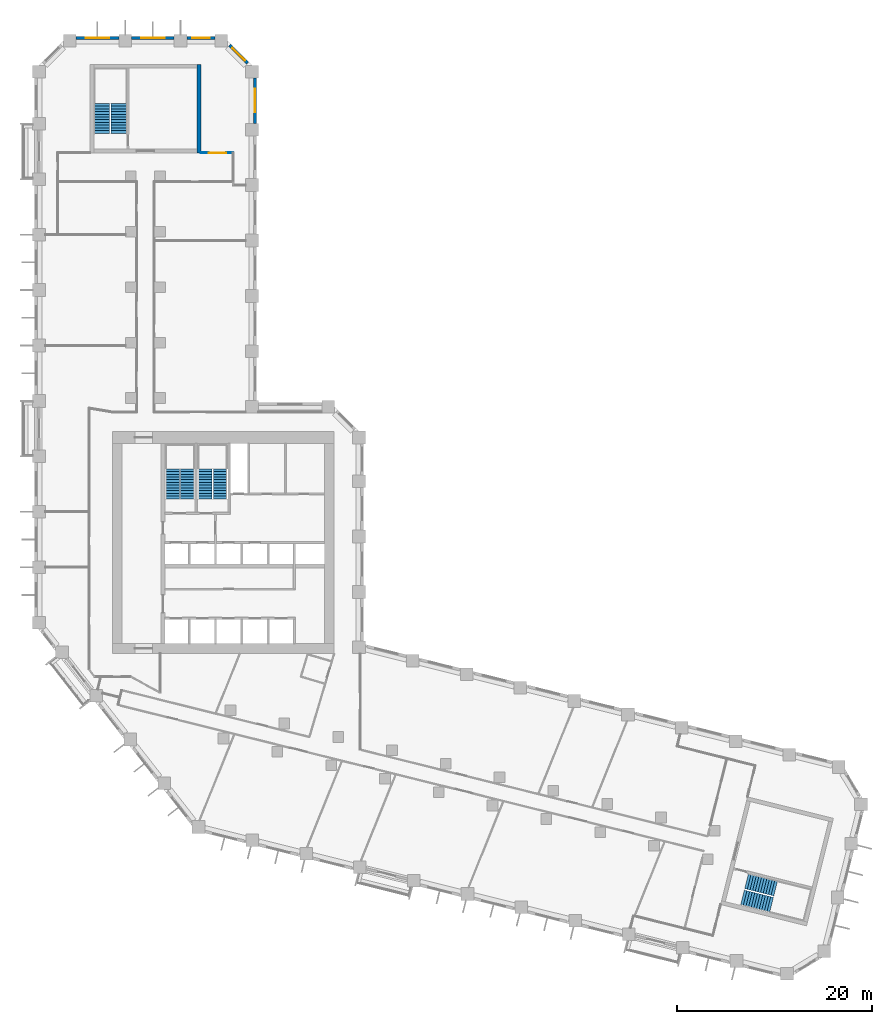
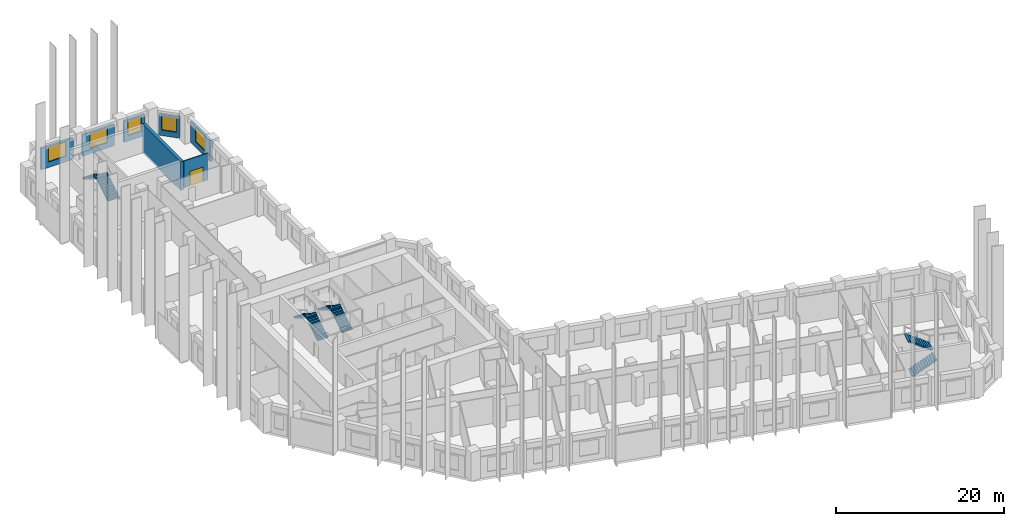
# One storey, part 9 of 10: 8 stair flights, 7 walls, 5 windows, 1 door, 6 openings, 4 elements without a shape of their own.
"""IFC4 building model written with IfcOpenShell, lengths in metres."""

from ifc_helpers import new_model, si_unit, direction, frame, frame_2d, origin, place, context, subcontext, project, spatial, polyline, rectangle, outline, extrude, material, layer, layer_set, type_object, element, fill, aggregate, save


model = new_model("IFC4")

# Units and contexts
model_context = context("Model", 3, precision=1e-05, world=origin(), true_north=direction((0.0, 1.0)))
body_context = subcontext(model_context, "Body", "Model", "MODEL_VIEW")
ifc_project = project(units=[si_unit("LENGTHUNIT", "METRE"), si_unit("AREAUNIT", "SQUARE_METRE"), si_unit("VOLUMEUNIT", "CUBIC_METRE"), si_unit("PLANEANGLEUNIT", "RADIAN"), si_unit("MASSUNIT", "GRAM", prefix="KILO")], contexts=[model_context])

# Site, building, storey
site_placement = place(None, origin())
site = spatial("IfcSite", under=ifc_project, at=site_placement, CompositionType="ELEMENT")
building_placement = place(site_placement, origin())
building = spatial("IfcBuilding", under=site, at=building_placement, Name="Meshkara Civic Tower", CompositionType="ELEMENT")
storey_placement = place(building_placement, frame((0.0, 0.0, 130.800048828125)))
storey = spatial("IfcBuildingStorey", under=building, at=storey_placement, Name="L29", CompositionType="ELEMENT", Elevation=130.800048828125)

# Wall, opening, door
ifc_material_1 = material(Name="Corridor wall 100")
ifc_layer_1 = layer(ifc_material_1, 0.10009765625)
ifc_layer_set_1 = layer_set([ifc_layer_1], Name="Corridor wall 100")
wall_type_1 = type_object("IfcWallType", Name="Corridor wall 100", PredefinedType="PARTITIONING", material=ifc_layer_set_1)
wall_1_placement = place(storey_placement, frame((20.39990234375, 65.570068359375, 0.0), z_axis=(0.0, 0.0, 1.0), x_axis=(-1.0, 0.0, 0.0)))
wall_1 = element("IfcWall", 1, at=wall_1_placement, inside=storey, type_object=wall_type_1, Name="L29-W018", PredefinedType="PARTITIONING", context=body_context, shape_type="SweptSolid", body=[
    extrude(rectangle(XDim=3.2998046875, YDim=0.10009765625, at=frame_2d((1.64990234375, 0.0))), origin(), (0.0, 0.0, 1.0), 3.89990234375),
])
opening_1_placement = place(wall_1_placement, frame((0.679931640625, 0.0, 0.0)))
opening_1 = element("IfcOpeningElement", 2, at=opening_1_placement, cuts=wall_1, Name="Opening L29-D026", PredefinedType="OPENING", context=body_context, shape_type="SweptSolid", body=[
    extrude(rectangle(XDim=1.800048828125, YDim=2.10009765625, at=frame_2d((0.89990234375, 1.050048828125))), frame((0.0, 0.06005859375, 0.0), z_axis=(0.0, -1.0, 0.0), x_axis=(1.0, 0.0, 0.0)), (0.0, 0.0, 1.0), 0.1201171875),
])
ifc_material_2 = material(Name="Door pair 1800 x 2100")
door_type = type_object("IfcDoorType", Name="Door pair 1800 x 2100", OperationType="SINGLE_SWING_LEFT", PredefinedType="DOOR", material=ifc_material_2)
door_placement = place(opening_1_placement, origin())
door = element("IfcDoor", 3, at=door_placement, inside=storey, type_object=door_type, Name="L29-D026", OperationType="DOUBLE_DOOR_SINGLE_SWING", OverallHeight=2.10009765625, OverallWidth=1.800048828125, PredefinedType="DOOR", context=body_context, shape_type="SweptSolid", body=[
    extrude(rectangle(XDim=1.800048828125, YDim=2.10009765625, at=frame_2d((0.89990234375, 1.050048828125))), frame((0.0, 0.02490234375, 0.0), z_axis=(0.0, -1.0, 0.0), x_axis=(1.0, 0.0, 0.0)), (0.0, 0.0, 1.0), 0.050048828125),
])
fill(opening_1, door)

# Wall, opening, window
ifc_material_3 = material(Name="Insulated infill panel with bronze anodised aluminium cladding", Category="aluminium")
ifc_layer_2 = layer(ifc_material_3, 0.300048828125)
ifc_layer_set_2 = layer_set([ifc_layer_2], Name="EXTERNAL INFILL WALL 300")
wall_type_2 = type_object("IfcWallType", Name="EXTERNAL INFILL WALL 300", PredefinedType="SOLIDWALL", material=ifc_layer_set_2)
wall_2_placement = place(storey_placement, frame((22.64990234375, 68.60009765625, 0.0), z_axis=(0.0, 0.0, 1.0), x_axis=(0.0, 1.0, 0.0)))
wall_2 = element("IfcWall", 4, at=wall_2_placement, inside=storey, type_object=wall_type_2, Name="External wall", PredefinedType="SOLIDWALL", context=body_context, shape_type="SweptSolid", body=[
    extrude(rectangle(XDim=4.663818359375, YDim=0.300048828125, at=frame_2d((2.33203125, 0.0))), origin(), (0.0, 0.0, 1.0), 3.099853515625),
])
opening_2_placement = place(wall_2_placement, frame((1.132080078125, 0.0, 0.800048828125)))
opening_2 = element("IfcOpeningElement", 5, at=opening_2_placement, cuts=wall_2, Name="Opening W7", PredefinedType="OPENING", context=body_context, shape_type="SweptSolid", body=[
    extrude(rectangle(XDim=2.39990234375, YDim=2.10009765625, at=frame_2d((1.199951171875, 1.050048828125))), frame((0.0, 0.159912109375, 0.0), z_axis=(0.0, -1.0, 0.0), x_axis=(1.0, 0.0, 0.0)), (0.0, 0.0, 1.0), 0.320068359375),
])
ifc_material_4 = material(Name="Tinted double glazing", Category="glass")
window_type_1 = type_object("IfcWindowType", Name="WINDOW 2400x2100", PartitioningType="DOUBLE_PANEL_VERTICAL", PredefinedType="WINDOW", material=ifc_material_4)
window_1_placement = place(opening_2_placement, origin())
window_1 = element("IfcWindow", 6, at=window_1_placement, inside=storey, type_object=window_type_1, Name="Window", OverallHeight=2.10009765625, OverallWidth=2.39990234375, PartitioningType="DOUBLE_PANEL_VERTICAL", PredefinedType="WINDOW", context=body_context, shape_type="SweptSolid", body=[
    extrude(rectangle(XDim=2.39990234375, YDim=2.10009765625, at=frame_2d((1.199951171875, 1.050048828125))), frame((0.0, 0.030029296875, 0.0), z_axis=(0.0, -1.0, 0.0), x_axis=(1.0, 0.0, 0.0)), (0.0, 0.0, 1.0), 0.06005859375),
])
fill(opening_2, window_1)

wall_3_placement = place(storey_placement, frame((21.912109375, 74.77587890625, 0.0), z_axis=(0.0, 0.0, 1.0), x_axis=(-0.707106781187, 0.707106781187, 0.0)))
wall_3 = element("IfcWall", 7, at=wall_3_placement, inside=storey, type_object=wall_type_2, Name="External wall", PredefinedType="SOLIDWALL", context=body_context, shape_type="SweptSolid", body=[
    extrude(rectangle(XDim=2.625, YDim=0.300048828125, at=frame_2d((1.3125, 0.0))), origin(), (0.0, 0.0, 1.0), 3.099853515625),
])
opening_3_placement = place(wall_3_placement, frame((0.412109375, 0.0, 0.800048828125)))
opening_3 = element("IfcOpeningElement", 8, at=opening_3_placement, cuts=wall_3, Name="Opening W9", PredefinedType="OPENING", context=body_context, shape_type="SweptSolid", body=[
    extrude(rectangle(XDim=1.800048828125, YDim=2.10009765625, at=frame_2d((0.89990234375, 1.050048828125))), frame((0.0, 0.159912109375, 0.0), z_axis=(0.0, -1.0, 0.0), x_axis=(1.0, 0.0, 0.0)), (0.0, 0.0, 1.0), 0.320068359375),
])
ifc_material_5 = material(Name="Tinted double glazing", Category="glass")
window_type_2 = type_object("IfcWindowType", Name="WINDOW 1800x2100", PartitioningType="DOUBLE_PANEL_VERTICAL", PredefinedType="WINDOW", material=ifc_material_5)
window_2_placement = place(opening_3_placement, origin())
window_2 = element("IfcWindow", 9, at=window_2_placement, inside=storey, type_object=window_type_2, Name="Window", OverallHeight=2.10009765625, OverallWidth=1.800048828125, PartitioningType="DOUBLE_PANEL_VERTICAL", PredefinedType="WINDOW", context=body_context, shape_type="SweptSolid", body=[
    extrude(rectangle(XDim=1.800048828125, YDim=2.10009765625, at=frame_2d((0.89990234375, 1.050048828125))), frame((0.0, 0.030029296875, 0.0), z_axis=(0.0, -1.0, 0.0), x_axis=(1.0, 0.0, 0.0)), (0.0, 0.0, 1.0), 0.06005859375),
])
fill(opening_3, window_2)

wall_4_placement = place(storey_placement, frame((18.5439453125, 77.3701171875, 0.0), z_axis=(0.0, 0.0, 1.0), x_axis=(-1.0, 0.0, 0.0)))
wall_4 = element("IfcWall", 10, at=wall_4_placement, inside=storey, type_object=wall_type_2, Name="External wall", PredefinedType="SOLIDWALL", context=body_context, shape_type="SweptSolid", body=[
    extrude(rectangle(XDim=2.887939453125, YDim=0.300048828125, at=frame_2d((1.44384765625, 0.0))), origin(), (0.0, 0.0, 1.0), 3.099853515625),
])
opening_4_placement = place(wall_4_placement, frame((0.5439453125, 0.0, 0.800048828125)))
opening_4 = element("IfcOpeningElement", 11, at=opening_4_placement, cuts=wall_4, Name="Opening W9", PredefinedType="OPENING", context=body_context, shape_type="SweptSolid", body=[
    extrude(rectangle(XDim=1.800048828125, YDim=2.10009765625, at=frame_2d((0.89990234375, 1.050048828125))), frame((0.0, 0.159912109375, 0.0), z_axis=(0.0, -1.0, 0.0), x_axis=(1.0, 0.0, 0.0)), (0.0, 0.0, 1.0), 0.320068359375),
])
window_3_placement = place(opening_4_placement, origin())
window_3 = element("IfcWindow", 12, at=window_3_placement, inside=storey, type_object=window_type_2, Name="Window", OverallHeight=2.10009765625, OverallWidth=1.800048828125, PartitioningType="DOUBLE_PANEL_VERTICAL", PredefinedType="WINDOW", context=body_context, shape_type="SweptSolid", body=[
    extrude(rectangle(XDim=1.800048828125, YDim=2.10009765625, at=frame_2d((0.89990234375, 1.050048828125))), frame((0.0, 0.030029296875, 0.0), z_axis=(0.0, -1.0, 0.0), x_axis=(1.0, 0.0, 0.0)), (0.0, 0.0, 1.0), 0.06005859375),
])
fill(opening_4, window_3)

wall_5_placement = place(storey_placement, frame((14.35595703125, 77.3701171875, 0.0), z_axis=(0.0, 0.0, 1.0), x_axis=(-1.0, 0.0, 0.0)))
wall_5 = element("IfcWall", 13, at=wall_5_placement, inside=storey, type_object=wall_type_2, Name="External wall", PredefinedType="SOLIDWALL", context=body_context, shape_type="SweptSolid", body=[
    extrude(rectangle(XDim=4.39990234375, YDim=0.300048828125, at=frame_2d((2.199951171875, 0.0))), origin(), (0.0, 0.0, 1.0), 3.099853515625),
])
opening_5_placement = place(wall_5_placement, frame((1.0, 0.0, 0.800048828125)))
opening_5 = element("IfcOpeningElement", 14, at=opening_5_placement, cuts=wall_5, Name="Opening W7", PredefinedType="OPENING", context=body_context, shape_type="SweptSolid", body=[
    extrude(rectangle(XDim=2.39990234375, YDim=2.10009765625, at=frame_2d((1.199951171875, 1.050048828125))), frame((0.0, 0.159912109375, 0.0), z_axis=(0.0, -1.0, 0.0), x_axis=(1.0, 0.0, 0.0)), (0.0, 0.0, 1.0), 0.320068359375),
])
window_4_placement = place(opening_5_placement, origin())
window_4 = element("IfcWindow", 15, at=window_4_placement, inside=storey, type_object=window_type_1, Name="Window", OverallHeight=2.10009765625, OverallWidth=2.39990234375, PartitioningType="DOUBLE_PANEL_VERTICAL", PredefinedType="WINDOW", context=body_context, shape_type="SweptSolid", body=[
    extrude(rectangle(XDim=2.39990234375, YDim=2.10009765625, at=frame_2d((1.199951171875, 1.050048828125))), frame((0.0, 0.030029296875, 0.0), z_axis=(0.0, -1.0, 0.0), x_axis=(1.0, 0.0, 0.0)), (0.0, 0.0, 1.0), 0.06005859375),
])
fill(opening_5, window_4)

wall_6_placement = place(storey_placement, frame((8.656005859375, 77.3701171875, 0.0), z_axis=(0.0, 0.0, 1.0), x_axis=(-1.0, 0.0, 0.0)))
wall_6 = element("IfcWall", 16, at=wall_6_placement, inside=storey, type_object=wall_type_2, Name="External wall", PredefinedType="SOLIDWALL", context=body_context, shape_type="SweptSolid", body=[
    extrude(rectangle(XDim=4.39990234375, YDim=0.300048828125, at=frame_2d((2.199951171875, 0.0))), origin(), (0.0, 0.0, 1.0), 3.099853515625),
])
opening_6_placement = place(wall_6_placement, frame((1.0, 0.0, 0.800048828125)))
opening_6 = element("IfcOpeningElement", 17, at=opening_6_placement, cuts=wall_6, Name="Opening W7", PredefinedType="OPENING", context=body_context, shape_type="SweptSolid", body=[
    extrude(rectangle(XDim=2.39990234375, YDim=2.10009765625, at=frame_2d((1.199951171875, 1.050048828125))), frame((0.0, 0.159912109375, 0.0), z_axis=(0.0, -1.0, 0.0), x_axis=(1.0, 0.0, 0.0)), (0.0, 0.0, 1.0), 0.320068359375),
])
window_5_placement = place(opening_6_placement, origin())
window_5 = element("IfcWindow", 18, at=window_5_placement, inside=storey, type_object=window_type_1, Name="Window", OverallHeight=2.10009765625, OverallWidth=2.39990234375, PartitioningType="DOUBLE_PANEL_VERTICAL", PredefinedType="WINDOW", context=body_context, shape_type="SweptSolid", body=[
    extrude(rectangle(XDim=2.39990234375, YDim=2.10009765625, at=frame_2d((1.199951171875, 1.050048828125))), frame((0.0, 0.030029296875, 0.0), z_axis=(0.0, -1.0, 0.0), x_axis=(1.0, 0.0, 0.0)), (0.0, 0.0, 1.0), 0.06005859375),
])
fill(opening_6, window_5)

# Wall
ifc_material_6 = material(Name="Concrete C70", Category="concrete")
ifc_layer_3 = layer(ifc_material_6, 0.39990234375)
ifc_layer_set_3 = layer_set([ifc_layer_3], Name="End core ring wall 400 C70")
wall_type_3 = type_object("IfcWallType", Name="End core ring wall 400 C70", PredefinedType="SHEAR", material=ifc_layer_set_3)
wall_7_placement = place(storey_placement, frame((16.89990234375, 65.570068359375, -0.300048828125), z_axis=(0.0, 0.0, 1.0), x_axis=(0.0, 1.0, 0.0)))
element("IfcWall", 19, at=wall_7_placement, inside=storey, type_object=wall_type_3, Name="L29-C027", PredefinedType="SHEAR", context=body_context, shape_type="SweptSolid", body=[
    extrude(rectangle(XDim=9.099853515625, YDim=0.39990234375, at=frame_2d((4.5498046875, 0.0))), origin(), (0.0, 0.0, 1.0), 4.199951171875),
])

# Stair, stair flights
ifc_material_7 = material(Name="Precast concrete C40/50", Category="concrete")
stair_type_1 = type_object("IfcStairType", Name="Exit stair half-turn 24 risers 1600 precast", PredefinedType="HALF_TURN_STAIR", material=ifc_material_7)
stair_1_placement = place(storey_placement, origin())
stair_1 = element("IfcStair", 20, at=stair_1_placement, inside=storey, type_object=stair_type_1, Name="L29 exit stair A from L20", PredefinedType="HALF_TURN_STAIR")
ifc_material_8 = material(Name="Precast concrete C40/50", Category="concrete")
stair_flight_type_1 = type_object("IfcStairFlightType", Name="Exit stair flight 12 risers 1600 precast", PredefinedType="STRAIGHT", material=ifc_material_8)
stair_flight_1_placement = place(storey_placement, frame((8.675048828125, 67.570068359375, 0.0), z_axis=(0.0, 0.0, 1.0), x_axis=(0.0, 1.0, 0.0)))
stair_flight_1 = element("IfcStairFlight", 21, at=stair_flight_1_placement, type_object=stair_flight_type_1, Name="ESA2 flight 1", NumberOfRisers=12, NumberOfTreads=11, PredefinedType="STRAIGHT", RiserHeight=0.175, TreadLength=0.28, context=body_context, shape_type="SweptSolid", body=[
    extrude(outline(polyline([(0.0, 0.0), (0.0, 0.175048828125), (0.280029296875, 0.175048828125), (0.280029296875, 0.35009765625), (0.56005859375, 0.35009765625), (0.56005859375, 0.52490234375), (0.840087890625, 0.52490234375), (0.840087890625, 0.699951171875), (1.1201171875, 0.699951171875), (1.1201171875, 0.875), (1.39990234375, 0.875), (1.39990234375, 1.050048828125), (1.679931640625, 1.050048828125), (1.679931640625, 1.22509765625), (1.9599609375, 1.22509765625), (1.9599609375, 1.39990234375), (2.239990234375, 1.39990234375), (2.239990234375, 1.574951171875), (2.52001953125, 1.574951171875), (2.52001953125, 1.75), (2.800048828125, 1.75), (2.800048828125, 1.925048828125), (3.080078125, 1.925048828125), (3.080078125, 2.10009765625), (3.080078125, 1.748291015625), (0.28271484375, 0.0), (0.0, 0.0)])), frame((0.0, 0.800048828125, 0.0), z_axis=(0.0, -1.0, 0.0), x_axis=(1.0, 0.0, 0.0)), (0.0, 0.0, 1.0), 1.60009765625),
])
stair_flight_2_placement = place(storey_placement, frame((6.925048828125, 70.64990234375, 2.099853515625), z_axis=(0.0, 0.0, 1.0), x_axis=(0.0, -1.0, 0.0)))
stair_flight_2 = element("IfcStairFlight", 22, at=stair_flight_2_placement, type_object=stair_flight_type_1, Name="ESA2 flight 2", NumberOfRisers=12, NumberOfTreads=11, PredefinedType="STRAIGHT", RiserHeight=0.175, TreadLength=0.28, context=body_context, shape_type="SweptSolid", body=[
    extrude(outline(polyline([(0.0, 0.0), (0.0, 0.175048828125), (0.280029296875, 0.175048828125), (0.280029296875, 0.35009765625), (0.56005859375, 0.35009765625), (0.56005859375, 0.52490234375), (0.840087890625, 0.52490234375), (0.840087890625, 0.699951171875), (1.1201171875, 0.699951171875), (1.1201171875, 0.875), (1.39990234375, 0.875), (1.39990234375, 1.050048828125), (1.679931640625, 1.050048828125), (1.679931640625, 1.22509765625), (1.9599609375, 1.22509765625), (1.9599609375, 1.39990234375), (2.239990234375, 1.39990234375), (2.239990234375, 1.574951171875), (2.52001953125, 1.574951171875), (2.52001953125, 1.75), (2.800048828125, 1.75), (2.800048828125, 1.925048828125), (3.080078125, 1.925048828125), (3.080078125, 2.10009765625), (3.080078125, 1.748291015625), (0.28271484375, 0.0), (0.0, 0.0)])), frame((0.0, 0.800048828125, 0.0), z_axis=(0.0, -1.0, 0.0), x_axis=(1.0, 0.0, 0.0)), (0.0, 0.0, 1.0), 1.60009765625),
])
aggregate(stair_1, [stair_flight_1, stair_flight_2])

stair_2_placement = place(storey_placement, origin())
stair_2 = element("IfcStair", 23, at=stair_2_placement, inside=storey, type_object=stair_type_1, Name="L29 exit stair B from L20", PredefinedType="HALF_TURN_STAIR")
stair_flight_3_placement = place(storey_placement, frame((72.7685546875, -11.00634765625, 0.0), z_axis=(0.0, 0.0, 1.0), x_axis=(0.970260066579, -0.242064873955, 0.0)))
stair_flight_3 = element("IfcStairFlight", 24, at=stair_flight_3_placement, type_object=stair_flight_type_1, Name="ESB2 flight 1", NumberOfRisers=12, NumberOfTreads=11, PredefinedType="STRAIGHT", RiserHeight=0.175, TreadLength=0.28, context=body_context, shape_type="SweptSolid", body=[
    extrude(outline(polyline([(0.0, 0.0), (0.0, 0.175048828125), (0.280029296875, 0.175048828125), (0.280029296875, 0.35009765625), (0.56005859375, 0.35009765625), (0.56005859375, 0.52490234375), (0.840087890625, 0.52490234375), (0.840087890625, 0.699951171875), (1.1201171875, 0.699951171875), (1.1201171875, 0.875), (1.39990234375, 0.875), (1.39990234375, 1.050048828125), (1.679931640625, 1.050048828125), (1.679931640625, 1.22509765625), (1.9599609375, 1.22509765625), (1.9599609375, 1.39990234375), (2.239990234375, 1.39990234375), (2.239990234375, 1.574951171875), (2.52001953125, 1.574951171875), (2.52001953125, 1.75), (2.800048828125, 1.75), (2.800048828125, 1.925048828125), (3.080078125, 1.925048828125), (3.080078125, 2.10009765625), (3.080078125, 1.748291015625), (0.28271484375, 0.0), (0.0, 0.0)])), frame((0.0, 0.800048828125, 0.0), z_axis=(0.0, -1.0, 0.0), x_axis=(1.0, 0.0, 0.0)), (0.0, 0.0, 1.0), 1.60009765625),
])
stair_flight_4_placement = place(storey_placement, frame((76.1806640625, -10.053955078125, 2.099853515625), z_axis=(0.0, 0.0, 1.0), x_axis=(-0.970260066579, 0.242064873955, 0.0)))
stair_flight_4 = element("IfcStairFlight", 25, at=stair_flight_4_placement, type_object=stair_flight_type_1, Name="ESB2 flight 2", NumberOfRisers=12, NumberOfTreads=11, PredefinedType="STRAIGHT", RiserHeight=0.175, TreadLength=0.28, context=body_context, shape_type="SweptSolid", body=[
    extrude(outline(polyline([(0.0, 0.0), (0.0, 0.175048828125), (0.280029296875, 0.175048828125), (0.280029296875, 0.35009765625), (0.56005859375, 0.35009765625), (0.56005859375, 0.52490234375), (0.840087890625, 0.52490234375), (0.840087890625, 0.699951171875), (1.1201171875, 0.699951171875), (1.1201171875, 0.875), (1.39990234375, 0.875), (1.39990234375, 1.050048828125), (1.679931640625, 1.050048828125), (1.679931640625, 1.22509765625), (1.9599609375, 1.22509765625), (1.9599609375, 1.39990234375), (2.239990234375, 1.39990234375), (2.239990234375, 1.574951171875), (2.52001953125, 1.574951171875), (2.52001953125, 1.75), (2.800048828125, 1.75), (2.800048828125, 1.925048828125), (3.080078125, 1.925048828125), (3.080078125, 2.10009765625), (3.080078125, 1.748291015625), (0.28271484375, 0.0), (0.0, 0.0)])), frame((0.0, 0.800048828125, 0.0), z_axis=(0.0, -1.0, 0.0), x_axis=(1.0, 0.0, 0.0)), (0.0, 0.0, 1.0), 1.60009765625),
])
aggregate(stair_2, [stair_flight_3, stair_flight_4])

ifc_material_9 = material(Name="Precast concrete C40/50", Category="concrete")
stair_type_2 = type_object("IfcStairType", Name="Exit stair half-turn 24 risers precast", PredefinedType="HALF_TURN_STAIR", material=ifc_material_9)
stair_3_placement = place(storey_placement, origin())
stair_3 = element("IfcStair", 26, at=stair_3_placement, inside=storey, type_object=stair_type_2, Name="L29 exit stair 1", PredefinedType="HALF_TURN_STAIR")
ifc_material_10 = material(Name="Precast concrete C40/50", Category="concrete")
stair_flight_type_2 = type_object("IfcStairFlightType", Name="Exit stair flight 12 risers precast", PredefinedType="STRAIGHT", material=ifc_material_10)
stair_flight_5_placement = place(storey_placement, frame((15.72509765625, 30.0, 0.0), z_axis=(0.0, 0.0, 1.0), x_axis=(0.0, 1.0, 0.0)))
stair_flight_5 = element("IfcStairFlight", 27, at=stair_flight_5_placement, type_object=stair_flight_type_2, Name="ST1 flight 1", NumberOfRisers=12, NumberOfTreads=11, PredefinedType="STRAIGHT", RiserHeight=0.175, TreadLength=0.28, context=body_context, shape_type="SweptSolid", body=[
    extrude(outline(polyline([(0.0, 0.0), (0.0, 0.175048828125), (0.280029296875, 0.175048828125), (0.280029296875, 0.35009765625), (0.56005859375, 0.35009765625), (0.56005859375, 0.52490234375), (0.840087890625, 0.52490234375), (0.840087890625, 0.699951171875), (1.1201171875, 0.699951171875), (1.1201171875, 0.875), (1.39990234375, 0.875), (1.39990234375, 1.050048828125), (1.679931640625, 1.050048828125), (1.679931640625, 1.22509765625), (1.9599609375, 1.22509765625), (1.9599609375, 1.39990234375), (2.239990234375, 1.39990234375), (2.239990234375, 1.574951171875), (2.52001953125, 1.574951171875), (2.52001953125, 1.75), (2.800048828125, 1.75), (2.800048828125, 1.925048828125), (3.080078125, 1.925048828125), (3.080078125, 2.10009765625), (3.080078125, 1.748291015625), (0.28271484375, 0.0), (0.0, 0.0)])), frame((0.0, 0.699951171875, 0.0), z_axis=(0.0, -1.0, 0.0), x_axis=(1.0, 0.0, 0.0)), (0.0, 0.0, 1.0), 1.39990234375),
])
stair_flight_6_placement = place(storey_placement, frame((14.175048828125, 33.080078125, 2.099853515625), z_axis=(0.0, 0.0, 1.0), x_axis=(0.0, -1.0, 0.0)))
stair_flight_6 = element("IfcStairFlight", 28, at=stair_flight_6_placement, type_object=stair_flight_type_2, Name="ST1 flight 2", NumberOfRisers=12, NumberOfTreads=11, PredefinedType="STRAIGHT", RiserHeight=0.175, TreadLength=0.28, context=body_context, shape_type="SweptSolid", body=[
    extrude(outline(polyline([(0.0, 0.0), (0.0, 0.175048828125), (0.280029296875, 0.175048828125), (0.280029296875, 0.35009765625), (0.56005859375, 0.35009765625), (0.56005859375, 0.52490234375), (0.840087890625, 0.52490234375), (0.840087890625, 0.699951171875), (1.1201171875, 0.699951171875), (1.1201171875, 0.875), (1.39990234375, 0.875), (1.39990234375, 1.050048828125), (1.679931640625, 1.050048828125), (1.679931640625, 1.22509765625), (1.9599609375, 1.22509765625), (1.9599609375, 1.39990234375), (2.239990234375, 1.39990234375), (2.239990234375, 1.574951171875), (2.52001953125, 1.574951171875), (2.52001953125, 1.75), (2.800048828125, 1.75), (2.800048828125, 1.925048828125), (3.080078125, 1.925048828125), (3.080078125, 2.10009765625), (3.080078125, 1.748291015625), (0.28271484375, 0.0), (0.0, 0.0)])), frame((0.0, 0.699951171875, 0.0), z_axis=(0.0, -1.0, 0.0), x_axis=(1.0, 0.0, 0.0)), (0.0, 0.0, 1.0), 1.39990234375),
])
aggregate(stair_3, [stair_flight_5, stair_flight_6])

stair_4_placement = place(storey_placement, origin())
stair_4 = element("IfcStair", 29, at=stair_4_placement, inside=storey, type_object=stair_type_2, Name="L29 exit stair 2", PredefinedType="HALF_TURN_STAIR")
stair_flight_7_placement = place(storey_placement, frame((19.074951171875, 30.0, 0.0), z_axis=(0.0, 0.0, 1.0), x_axis=(0.0, 1.0, 0.0)))
stair_flight_7 = element("IfcStairFlight", 30, at=stair_flight_7_placement, type_object=stair_flight_type_2, Name="ST2 flight 1", NumberOfRisers=12, NumberOfTreads=11, PredefinedType="STRAIGHT", RiserHeight=0.175, TreadLength=0.28, context=body_context, shape_type="SweptSolid", body=[
    extrude(outline(polyline([(0.0, 0.0), (0.0, 0.175048828125), (0.280029296875, 0.175048828125), (0.280029296875, 0.35009765625), (0.56005859375, 0.35009765625), (0.56005859375, 0.52490234375), (0.840087890625, 0.52490234375), (0.840087890625, 0.699951171875), (1.1201171875, 0.699951171875), (1.1201171875, 0.875), (1.39990234375, 0.875), (1.39990234375, 1.050048828125), (1.679931640625, 1.050048828125), (1.679931640625, 1.22509765625), (1.9599609375, 1.22509765625), (1.9599609375, 1.39990234375), (2.239990234375, 1.39990234375), (2.239990234375, 1.574951171875), (2.52001953125, 1.574951171875), (2.52001953125, 1.75), (2.800048828125, 1.75), (2.800048828125, 1.925048828125), (3.080078125, 1.925048828125), (3.080078125, 2.10009765625), (3.080078125, 1.748291015625), (0.28271484375, 0.0), (0.0, 0.0)])), frame((0.0, 0.699951171875, 0.0), z_axis=(0.0, -1.0, 0.0), x_axis=(1.0, 0.0, 0.0)), (0.0, 0.0, 1.0), 1.39990234375),
])
stair_flight_8_placement = place(storey_placement, frame((17.52490234375, 33.080078125, 2.099853515625), z_axis=(0.0, 0.0, 1.0), x_axis=(0.0, -1.0, 0.0)))
stair_flight_8 = element("IfcStairFlight", 31, at=stair_flight_8_placement, type_object=stair_flight_type_2, Name="ST2 flight 2", NumberOfRisers=12, NumberOfTreads=11, PredefinedType="STRAIGHT", RiserHeight=0.175, TreadLength=0.28, context=body_context, shape_type="SweptSolid", body=[
    extrude(outline(polyline([(0.0, 0.0), (0.0, 0.175048828125), (0.280029296875, 0.175048828125), (0.280029296875, 0.35009765625), (0.56005859375, 0.35009765625), (0.56005859375, 0.52490234375), (0.840087890625, 0.52490234375), (0.840087890625, 0.699951171875), (1.1201171875, 0.699951171875), (1.1201171875, 0.875), (1.39990234375, 0.875), (1.39990234375, 1.050048828125), (1.679931640625, 1.050048828125), (1.679931640625, 1.22509765625), (1.9599609375, 1.22509765625), (1.9599609375, 1.39990234375), (2.239990234375, 1.39990234375), (2.239990234375, 1.574951171875), (2.52001953125, 1.574951171875), (2.52001953125, 1.75), (2.800048828125, 1.75), (2.800048828125, 1.925048828125), (3.080078125, 1.925048828125), (3.080078125, 2.10009765625), (3.080078125, 1.748291015625), (0.28271484375, 0.0), (0.0, 0.0)])), frame((0.0, 0.699951171875, 0.0), z_axis=(0.0, -1.0, 0.0), x_axis=(1.0, 0.0, 0.0)), (0.0, 0.0, 1.0), 1.39990234375),
])
aggregate(stair_4, [stair_flight_7, stair_flight_8])

save(model, "model.ifc")
